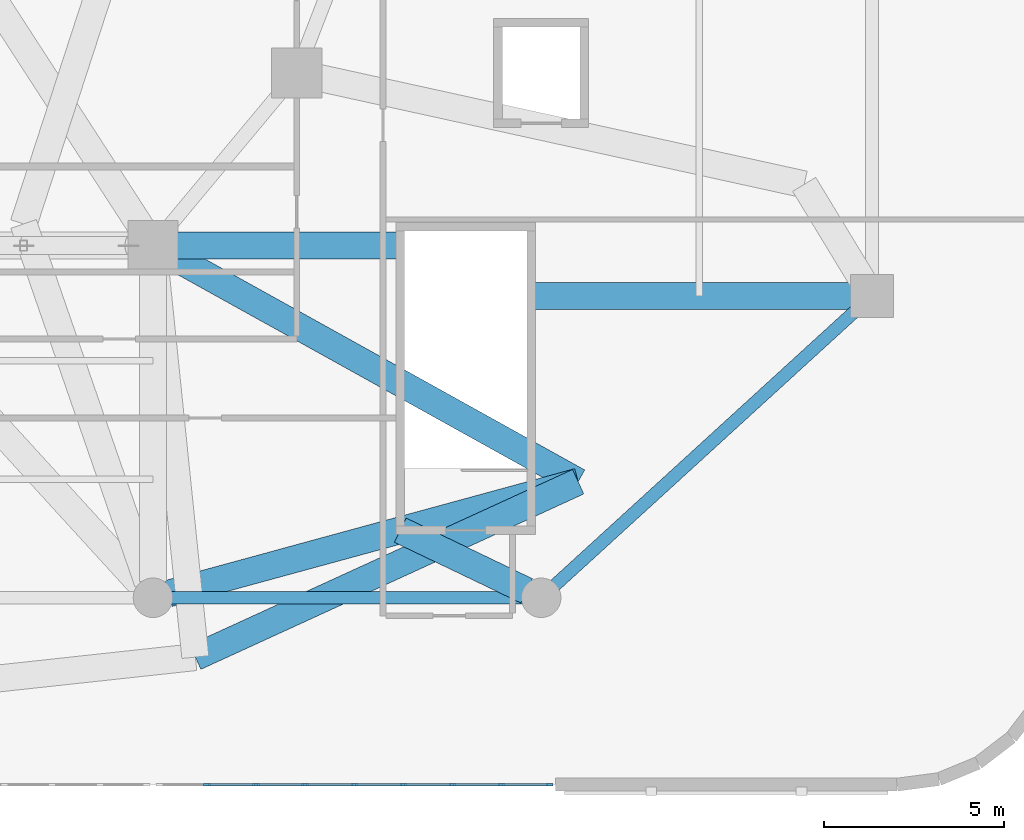
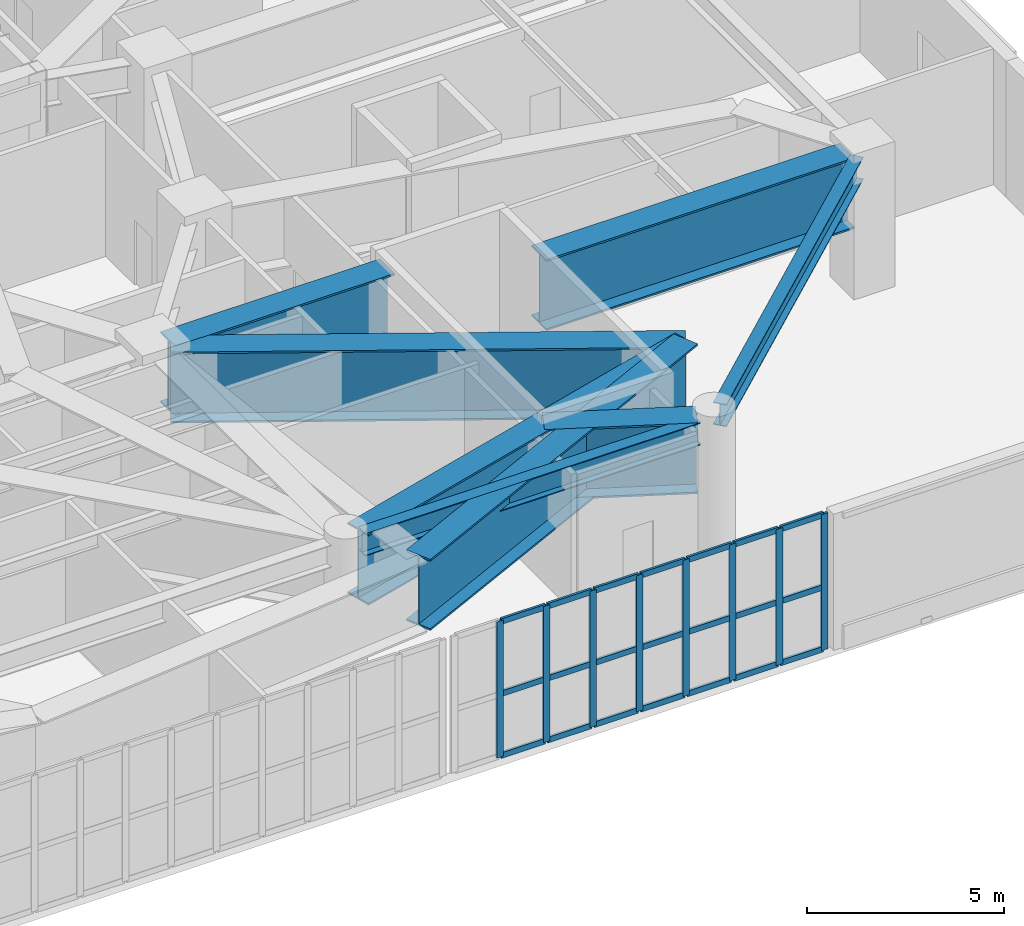
# One storey, part 7 of 26: 29 members, 8 beams, 1 element without a shape of its own.
"""IFC4 building model written with IfcOpenShell, lengths in metres."""

import ifcopenshell
import ifcopenshell.guid

model = None  # the IFC model being written
_history = None  # IfcOwnerHistory: only IFC2X3 demands one
_inside = {}  # id of a spatial element -> (the spatial element, [elements in it])
_under = {}  # id of a project, library or spatial element -> (it, [spatial elements below it])
_declared = {}  # id of a project -> (the project, [libraries it declares])
_typed = {}  # id of a type object -> (the type object, [elements of that type])
_made_of = {}  # id of a material, layer set ... -> (it, [elements and type objects made of it])


def new_model(schema):
    """Start an empty IFC model of exactly this schema.

    Asked for "IFC4X3", IfcOpenShell would pick the latest addendum, in which some entities
    have other attributes; the version numbers below select the first issue.
    IFC2X3 requires an IfcOwnerHistory on every rooted entity: one is made here for all.
    """
    global model, _history
    if schema == "IFC4X3":
        model = ifcopenshell.file(schema_version=(4, 3, 0, 0))
    else:
        model = ifcopenshell.file(schema=schema)
    _inside.clear()
    _under.clear()
    _declared.clear()
    _typed.clear()
    _made_of.clear()
    _history = None
    if model.schema == "IFC2X3":
        org = make("IfcOrganization", Name="unknown")
        user = make(
            "IfcPersonAndOrganization",
            ThePerson=make("IfcPerson", FamilyName="unknown"),
            TheOrganization=org,
        )
        app = make(
            "IfcApplication",
            ApplicationDeveloper=org,
            Version="unknown",
            ApplicationFullName="unknown",
            ApplicationIdentifier="unknown",
        )
        _history = make(
            "IfcOwnerHistory",
            OwningUser=user,
            OwningApplication=app,
            ChangeAction="ADDED",
            CreationDate=0,
        )
    return model


def make(cls, **values):
    """One entity of the class cls with the attributes given. An attribute that is None is left unset."""
    return model.create_entity(
        cls, **{name: value for name, value in values.items() if value is not None}
    )


def rooted(cls, **values):
    """An entity with a GlobalId (a new one), such as an element, a storey or a relation."""
    return make(cls, GlobalId=ifcopenshell.guid.new(), OwnerHistory=_history, **values)


def si_unit(unit_type, name, prefix=None):
    """IfcSIUnit, for example si_unit("LENGTHUNIT", "METRE", prefix="MILLI")."""
    return make("IfcSIUnit", UnitType=unit_type, Prefix=prefix, Name=name)


def assignment(units):
    """IfcUnitAssignment: the units of a project."""
    return None if units is None else make("IfcUnitAssignment", Units=units)


def point(xyz):
    """IfcCartesianPoint."""
    return None if xyz is None else make("IfcCartesianPoint", Coordinates=xyz)


def direction(xyz):
    """IfcDirection."""
    return None if xyz is None else make("IfcDirection", DirectionRatios=xyz)


def frame(location, z_axis=None, x_axis=None):
    """IfcAxis2Placement3D, a coordinate frame: its origin and axes. An axis left out is left unset."""
    return make(
        "IfcAxis2Placement3D",
        Location=point(location),
        Axis=direction(z_axis),
        RefDirection=direction(x_axis),
    )


def frame_2d(location, x_axis=None):
    """IfcAxis2Placement2D, a coordinate frame in the plane: its origin and x axis."""
    return make(
        "IfcAxis2Placement2D", Location=point(location), RefDirection=direction(x_axis)
    )


def origin():
    """The frame at (0, 0, 0) with its axes left unset."""
    return frame((0.0, 0.0, 0.0))


def origin_2d():
    """The frame at (0, 0) in the plane with its x axis left unset."""
    return frame_2d((0.0, 0.0))


def place(relative_to, where):
    """IfcLocalPlacement: puts the frame where relative to a parent placement (None: the world)."""
    return make(
        "IfcLocalPlacement", PlacementRelTo=relative_to, RelativePlacement=where
    )


def context(
    kind, dimensions, precision=None, world=None, true_north=None, identifier=None
):
    """IfcGeometricRepresentationContext, for example the 3D "Model" context."""
    return make(
        "IfcGeometricRepresentationContext",
        ContextIdentifier=identifier,
        ContextType=kind,
        CoordinateSpaceDimension=dimensions,
        Precision=precision,
        WorldCoordinateSystem=world,
        TrueNorth=true_north,
    )


def subcontext(parent, identifier, kind, view, scale=None):
    """IfcGeometricRepresentationSubContext, for example "Body" below "Model"."""
    return make(
        "IfcGeometricRepresentationSubContext",
        ContextIdentifier=identifier,
        ContextType=kind,
        ParentContext=parent,
        TargetScale=scale,
        TargetView=view,
    )


def project(units=None, contexts=None):
    """IfcProject with its units and contexts."""
    return rooted(
        "IfcProject",
        Name="project",
        RepresentationContexts=contexts,
        UnitsInContext=assignment(units),
    )


def spatial(cls, under=None, at=None, **own):
    """A site, building, storey or space (cls), placed at a placement, below another one or the project."""
    s = rooted(cls, ObjectPlacement=at, **own)
    if under is not None:
        _under.setdefault(under.id(), (under, []))[1].append(s)
    return s


def profile(cls, at=None, kind="AREA", **sizes):
    """A parametric profile (cls). Its sizes go by their IFC names, for example OverallWidth=200.0."""
    return make(cls, ProfileType=kind, Position=at, **sizes)


def rectangle(**sizes):
    """IfcRectangleProfileDef."""
    return profile("IfcRectangleProfileDef", **sizes)


def i_section(**sizes):
    """IfcIShapeProfileDef."""
    return profile("IfcIShapeProfileDef", **sizes)


def extrude(swept, where, along, depth):
    """IfcExtrudedAreaSolid: the profile swept, set in the frame where, extruded along a direction by depth."""
    return make(
        "IfcExtrudedAreaSolid",
        SweptArea=swept,
        Position=where,
        ExtrudedDirection=direction(along),
        Depth=depth,
    )


def shape(context_of_items, identifier, shape_type, items):
    """IfcShapeRepresentation: the items that make up one representation, for example the "Body"."""
    return make(
        "IfcShapeRepresentation",
        ContextOfItems=context_of_items,
        RepresentationIdentifier=identifier,
        RepresentationType=shape_type,
        Items=items,
    )


def material(Name=None, Category=None):
    """IfcMaterial."""
    return make("IfcMaterial", Name=Name, Category=Category)


def material_profile(
    of_material, cross_section, Name=None, Category=None, Priority=None
):
    """IfcMaterialProfile: a cross section and its material."""
    return make(
        "IfcMaterialProfile",
        Name=Name,
        Material=of_material,
        Profile=cross_section,
        Priority=Priority,
        Category=Category,
    )


def profile_set(profiles, Name=None, composite=None):
    """IfcMaterialProfileSet."""
    return make(
        "IfcMaterialProfileSet",
        Name=Name,
        MaterialProfiles=profiles,
        CompositeProfile=composite,
    )


def made_of(thing, what):
    """Note that an element or type object is made of a material, layer set ...; save() writes the relation."""
    if what is not None:
        _made_of.setdefault(what.id(), (what, []))[1].append(thing)
    return thing


def type_object(cls, material=None, **own):
    """A type object (cls), such as IfcWallType, which elements share."""
    return made_of(rooted(cls, **own), material)


def element(
    cls,
    number,
    at=None,
    inside=None,
    cuts=None,
    type_object=None,
    material=None,
    context=None,
    identifier="Body",
    shape_type=None,
    held_by="IfcProductDefinitionShape",
    body=None,
    shapes=None,
    **own,
):
    """One element of the class cls, such as IfcWall. Its Tag is "e" and its number.

    at: its placement. inside: the storey or other place that contains it. cuts: it is an
    opening in that element (IfcRelVoidsElement). A single representation is given by context,
    identifier, shape_type and body (its items); several are given by shapes. held_by: the class
    of the entity that holds the representations. save() writes the other relations.
    """
    e = rooted(cls, Tag="e%d" % number, ObjectPlacement=at, **own)
    if body is not None:
        shapes = [shape(context, identifier, shape_type, body)]
    if shapes is not None:
        e.Representation = make(held_by, Representations=shapes)
    if inside is not None:
        _inside.setdefault(inside.id(), (inside, []))[1].append(e)
    if cuts is not None:
        rooted(
            "IfcRelVoidsElement", RelatingBuildingElement=cuts, RelatedOpeningElement=e
        )
    if type_object is not None:
        _typed.setdefault(type_object.id(), (type_object, []))[1].append(e)
    return made_of(e, material)


def aggregate(whole, parts):
    """IfcRelAggregates: a whole, such as a stair, and the parts it consists of."""
    return rooted("IfcRelAggregates", RelatingObject=whole, RelatedObjects=parts)


def save(model, path):
    """Write the relations noted so far, then the file.

    IfcRelAggregates (storeys below a building ...), IfcRelContainedInSpatialStructure (elements
    in a storey), IfcRelDefinesByType, IfcRelAssociatesMaterial and IfcRelDeclares: one each for
    every whole, place, type object, material and project.
    """
    for whole, parts in _under.values():
        aggregate(whole, parts)
    for where, things in _inside.values():
        rooted(
            "IfcRelContainedInSpatialStructure",
            RelatedElements=things,
            RelatingStructure=where,
        )
    for kind, things in _typed.values():
        rooted("IfcRelDefinesByType", RelatedObjects=things, RelatingType=kind)
    for what, things in _made_of.values():
        rooted("IfcRelAssociatesMaterial", RelatedObjects=things, RelatingMaterial=what)
    for by, libraries in _declared.values():
        rooted("IfcRelDeclares", RelatingContext=by, RelatedDefinitions=libraries)
    model.write(path)


model = new_model("IFC4")

# Units and contexts
model_context = context("Model", 3, precision=1e-05, world=origin(), true_north=direction((0.0, 1.0)))
body_context = subcontext(model_context, "Body", "Model", "MODEL_VIEW")
ifc_project = project(units=[si_unit("LENGTHUNIT", "METRE"), si_unit("AREAUNIT", "SQUARE_METRE"), si_unit("VOLUMEUNIT", "CUBIC_METRE"), si_unit("PLANEANGLEUNIT", "RADIAN"), si_unit("MASSUNIT", "GRAM", prefix="KILO")], contexts=[model_context])

# Site, building, storey
site_placement = place(None, origin())
site = spatial("IfcSite", under=ifc_project, at=site_placement, CompositionType="ELEMENT")
building_placement = place(site_placement, origin())
building = spatial("IfcBuilding", under=site, at=building_placement, Name="Haldorwick Loom Tower", CompositionType="ELEMENT")
storey_placement = place(building_placement, frame((0.0, 0.0, 19.5)))
storey = spatial("IfcBuildingStorey", under=building, at=storey_placement, Name="L04", CompositionType="ELEMENT", Elevation=19.5)

# Curtain wall, members
ifc_material_1 = material(Name="Thermally Broken Anodized Aluminium Curtain Wall Framing", Category="aluminium")
curtain_wall_type = type_object("IfcCurtainWallType", Name="ARC-CW-02", PredefinedType="NOTDEFINED", material=ifc_material_1)
curtain_wall_placement = place(storey_placement, origin())
curtain_wall = element("IfcCurtainWall", 1, at=curtain_wall_placement, inside=storey, type_object=curtain_wall_type, Name="L04 Facade Curtain Wall CW-02 Bay 41", PredefinedType="NOTDEFINED")
ifc_material_profile_1 = material_profile(ifc_material_1, rectangle(XDim=0.070068359375, YDim=0.195068359375, at=origin_2d()), Name="ALU_MUL_70X195", Category="aluminium")
ifc_profile_set_1 = profile_set([ifc_material_profile_1], Name="Thermally Broken Anodized Aluminium Curtain Wall Framing")
member_type_1 = type_object("IfcMemberType", Name="ARC-CWM-02", PredefinedType="MULLION", material=ifc_profile_set_1)
member_1_placement = place(storey_placement, frame((48.304931640625, 0.0, 0.0), z_axis=(0.0, 0.0, 1.0), x_axis=(0.0, 1.0, 0.0)))
member_1 = element("IfcMember", 2, at=member_1_placement, type_object=member_type_1, Name="CW-02 mullion 2", PredefinedType="MULLION", context=body_context, shape_type="SweptSolid", body=[
    extrude(rectangle(XDim=0.070068359375, YDim=0.195068359375, at=origin_2d()), origin(), (0.0, 0.0, 1.0), 4.219970703125),
])
member_2_placement = place(storey_placement, frame((49.669921875, 0.0, 0.0), z_axis=(0.0, 0.0, 1.0), x_axis=(0.0, 1.0, 0.0)))
member_2 = element("IfcMember", 3, at=member_2_placement, type_object=member_type_1, Name="CW-02 mullion 3", PredefinedType="MULLION", context=body_context, shape_type="SweptSolid", body=[
    extrude(rectangle(XDim=0.070068359375, YDim=0.195068359375, at=origin_2d()), origin(), (0.0, 0.0, 1.0), 4.219970703125),
])
member_3_placement = place(storey_placement, frame((51.034912109375, 0.0, 0.0), z_axis=(0.0, 0.0, 1.0), x_axis=(0.0, 1.0, 0.0)))
member_3 = element("IfcMember", 4, at=member_3_placement, type_object=member_type_1, Name="CW-02 mullion 4", PredefinedType="MULLION", context=body_context, shape_type="SweptSolid", body=[
    extrude(rectangle(XDim=0.070068359375, YDim=0.195068359375, at=origin_2d()), origin(), (0.0, 0.0, 1.0), 4.219970703125),
])
member_4_placement = place(storey_placement, frame((52.39990234375, 0.0, 0.0), z_axis=(0.0, 0.0, 1.0), x_axis=(0.0, 1.0, 0.0)))
member_4 = element("IfcMember", 5, at=member_4_placement, type_object=member_type_1, Name="CW-02 mullion 5", PredefinedType="MULLION", context=body_context, shape_type="SweptSolid", body=[
    extrude(rectangle(XDim=0.070068359375, YDim=0.195068359375, at=origin_2d()), origin(), (0.0, 0.0, 1.0), 4.219970703125),
])
member_5_placement = place(storey_placement, frame((53.764892578125, 0.0, 0.0), z_axis=(0.0, 0.0, 1.0), x_axis=(0.0, 1.0, 0.0)))
member_5 = element("IfcMember", 6, at=member_5_placement, type_object=member_type_1, Name="CW-02 mullion 6", PredefinedType="MULLION", context=body_context, shape_type="SweptSolid", body=[
    extrude(rectangle(XDim=0.070068359375, YDim=0.195068359375, at=origin_2d()), origin(), (0.0, 0.0, 1.0), 4.219970703125),
])
member_6_placement = place(storey_placement, frame((55.1298828125, 0.0, 0.0), z_axis=(0.0, 0.0, 1.0), x_axis=(0.0, 1.0, 0.0)))
member_6 = element("IfcMember", 7, at=member_6_placement, type_object=member_type_1, Name="CW-02 mullion 7", PredefinedType="MULLION", context=body_context, shape_type="SweptSolid", body=[
    extrude(rectangle(XDim=0.070068359375, YDim=0.195068359375, at=origin_2d()), origin(), (0.0, 0.0, 1.0), 4.219970703125),
])
member_7_placement = place(storey_placement, frame((56.4951171875, 0.0, 0.0), z_axis=(0.0, 0.0, 1.0), x_axis=(0.0, 1.0, 0.0)))
member_7 = element("IfcMember", 8, at=member_7_placement, type_object=member_type_1, Name="CW-02 mullion 8", PredefinedType="MULLION", context=body_context, shape_type="SweptSolid", body=[
    extrude(rectangle(XDim=0.070068359375, YDim=0.195068359375, at=origin_2d()), origin(), (0.0, 0.0, 1.0), 4.219970703125),
])
member_8_placement = place(storey_placement, frame((57.824951171875, 0.0, 0.0), z_axis=(0.0, 0.0, 1.0), x_axis=(0.0, 1.0, 0.0)))
member_8 = element("IfcMember", 9, at=member_8_placement, type_object=member_type_1, Name="CW-02 mullion 9", PredefinedType="MULLION", context=body_context, shape_type="SweptSolid", body=[
    extrude(rectangle(XDim=0.070068359375, YDim=0.195068359375, at=origin_2d()), origin(), (0.0, 0.0, 1.0), 4.219970703125),
])
ifc_material_profile_2 = material_profile(ifc_material_1, rectangle(XDim=0.070068359375, YDim=0.175048828125, at=origin_2d()), Name="ALU_TRN_70X175", Category="aluminium")
ifc_profile_set_2 = profile_set([ifc_material_profile_2], Name="Thermally Broken Anodized Aluminium Curtain Wall Framing")
member_type_2 = type_object("IfcMemberType", Name="ARC-CWT-02", PredefinedType="USERDEFINED", material=ifc_profile_set_2)
member_9_placement = place(storey_placement, frame((48.340087890625, 0.0, 0.034912109375), z_axis=(1.0, 0.0, 0.0), x_axis=(0.0, 1.0, 0.0)))
member_9 = element("IfcMember", 10, at=member_9_placement, type_object=member_type_2, Name="CW-02 transom 2.1", ObjectType="TRANSOM", PredefinedType="USERDEFINED", context=body_context, shape_type="SweptSolid", body=[
    extrude(rectangle(XDim=0.070068359375, YDim=0.175048828125, at=origin_2d()), origin(), (0.0, 0.0, 1.0), 1.294921875),
])
member_10_placement = place(storey_placement, frame((48.340087890625, 0.0, 1.949951171875), z_axis=(1.0, 0.0, 0.0), x_axis=(0.0, 1.0, 0.0)))
member_10 = element("IfcMember", 11, at=member_10_placement, type_object=member_type_2, Name="CW-02 transom 2.2", ObjectType="TRANSOM", PredefinedType="USERDEFINED", context=body_context, shape_type="SweptSolid", body=[
    extrude(rectangle(XDim=0.070068359375, YDim=0.175048828125, at=origin_2d()), origin(), (0.0, 0.0, 1.0), 1.294921875),
])
member_11_placement = place(storey_placement, frame((48.340087890625, 0.0, 4.18505859375), z_axis=(1.0, 0.0, 0.0), x_axis=(0.0, 1.0, 0.0)))
member_11 = element("IfcMember", 12, at=member_11_placement, type_object=member_type_2, Name="CW-02 transom 2.3", ObjectType="TRANSOM", PredefinedType="USERDEFINED", context=body_context, shape_type="SweptSolid", body=[
    extrude(rectangle(XDim=0.070068359375, YDim=0.175048828125, at=origin_2d()), origin(), (0.0, 0.0, 1.0), 1.294921875),
])
member_12_placement = place(storey_placement, frame((49.705078125, 0.0, 0.034912109375), z_axis=(1.0, 0.0, 0.0), x_axis=(0.0, 1.0, 0.0)))
member_12 = element("IfcMember", 13, at=member_12_placement, type_object=member_type_2, Name="CW-02 transom 3.1", ObjectType="TRANSOM", PredefinedType="USERDEFINED", context=body_context, shape_type="SweptSolid", body=[
    extrude(rectangle(XDim=0.070068359375, YDim=0.175048828125, at=origin_2d()), origin(), (0.0, 0.0, 1.0), 1.294921875),
])
member_13_placement = place(storey_placement, frame((49.705078125, 0.0, 1.949951171875), z_axis=(1.0, 0.0, 0.0), x_axis=(0.0, 1.0, 0.0)))
member_13 = element("IfcMember", 14, at=member_13_placement, type_object=member_type_2, Name="CW-02 transom 3.2", ObjectType="TRANSOM", PredefinedType="USERDEFINED", context=body_context, shape_type="SweptSolid", body=[
    extrude(rectangle(XDim=0.070068359375, YDim=0.175048828125, at=origin_2d()), origin(), (0.0, 0.0, 1.0), 1.294921875),
])
member_14_placement = place(storey_placement, frame((49.705078125, 0.0, 4.18505859375), z_axis=(1.0, 0.0, 0.0), x_axis=(0.0, 1.0, 0.0)))
member_14 = element("IfcMember", 15, at=member_14_placement, type_object=member_type_2, Name="CW-02 transom 3.3", ObjectType="TRANSOM", PredefinedType="USERDEFINED", context=body_context, shape_type="SweptSolid", body=[
    extrude(rectangle(XDim=0.070068359375, YDim=0.175048828125, at=origin_2d()), origin(), (0.0, 0.0, 1.0), 1.294921875),
])
member_15_placement = place(storey_placement, frame((51.070068359375, 0.0, 0.034912109375), z_axis=(1.0, 0.0, 0.0), x_axis=(0.0, 1.0, 0.0)))
member_15 = element("IfcMember", 16, at=member_15_placement, type_object=member_type_2, Name="CW-02 transom 4.1", ObjectType="TRANSOM", PredefinedType="USERDEFINED", context=body_context, shape_type="SweptSolid", body=[
    extrude(rectangle(XDim=0.070068359375, YDim=0.175048828125, at=origin_2d()), origin(), (0.0, 0.0, 1.0), 1.294921875),
])
member_16_placement = place(storey_placement, frame((51.070068359375, 0.0, 1.949951171875), z_axis=(1.0, 0.0, 0.0), x_axis=(0.0, 1.0, 0.0)))
member_16 = element("IfcMember", 17, at=member_16_placement, type_object=member_type_2, Name="CW-02 transom 4.2", ObjectType="TRANSOM", PredefinedType="USERDEFINED", context=body_context, shape_type="SweptSolid", body=[
    extrude(rectangle(XDim=0.070068359375, YDim=0.175048828125, at=origin_2d()), origin(), (0.0, 0.0, 1.0), 1.294921875),
])
member_17_placement = place(storey_placement, frame((51.070068359375, 0.0, 4.18505859375), z_axis=(1.0, 0.0, 0.0), x_axis=(0.0, 1.0, 0.0)))
member_17 = element("IfcMember", 18, at=member_17_placement, type_object=member_type_2, Name="CW-02 transom 4.3", ObjectType="TRANSOM", PredefinedType="USERDEFINED", context=body_context, shape_type="SweptSolid", body=[
    extrude(rectangle(XDim=0.070068359375, YDim=0.175048828125, at=origin_2d()), origin(), (0.0, 0.0, 1.0), 1.294921875),
])
member_18_placement = place(storey_placement, frame((52.43505859375, 0.0, 0.034912109375), z_axis=(1.0, 0.0, 0.0), x_axis=(0.0, 1.0, 0.0)))
member_18 = element("IfcMember", 19, at=member_18_placement, type_object=member_type_2, Name="CW-02 transom 5.1", ObjectType="TRANSOM", PredefinedType="USERDEFINED", context=body_context, shape_type="SweptSolid", body=[
    extrude(rectangle(XDim=0.070068359375, YDim=0.175048828125, at=origin_2d()), origin(), (0.0, 0.0, 1.0), 1.294921875),
])
member_19_placement = place(storey_placement, frame((52.43505859375, 0.0, 1.949951171875), z_axis=(1.0, 0.0, 0.0), x_axis=(0.0, 1.0, 0.0)))
member_19 = element("IfcMember", 20, at=member_19_placement, type_object=member_type_2, Name="CW-02 transom 5.2", ObjectType="TRANSOM", PredefinedType="USERDEFINED", context=body_context, shape_type="SweptSolid", body=[
    extrude(rectangle(XDim=0.070068359375, YDim=0.175048828125, at=origin_2d()), origin(), (0.0, 0.0, 1.0), 1.294921875),
])
member_20_placement = place(storey_placement, frame((52.43505859375, 0.0, 4.18505859375), z_axis=(1.0, 0.0, 0.0), x_axis=(0.0, 1.0, 0.0)))
member_20 = element("IfcMember", 21, at=member_20_placement, type_object=member_type_2, Name="CW-02 transom 5.3", ObjectType="TRANSOM", PredefinedType="USERDEFINED", context=body_context, shape_type="SweptSolid", body=[
    extrude(rectangle(XDim=0.070068359375, YDim=0.175048828125, at=origin_2d()), origin(), (0.0, 0.0, 1.0), 1.294921875),
])
member_21_placement = place(storey_placement, frame((53.800048828125, 0.0, 0.034912109375), z_axis=(1.0, 0.0, 0.0), x_axis=(0.0, 1.0, 0.0)))
member_21 = element("IfcMember", 22, at=member_21_placement, type_object=member_type_2, Name="CW-02 transom 6.1", ObjectType="TRANSOM", PredefinedType="USERDEFINED", context=body_context, shape_type="SweptSolid", body=[
    extrude(rectangle(XDim=0.070068359375, YDim=0.175048828125, at=origin_2d()), origin(), (0.0, 0.0, 1.0), 1.294921875),
])
member_22_placement = place(storey_placement, frame((53.800048828125, 0.0, 1.949951171875), z_axis=(1.0, 0.0, 0.0), x_axis=(0.0, 1.0, 0.0)))
member_22 = element("IfcMember", 23, at=member_22_placement, type_object=member_type_2, Name="CW-02 transom 6.2", ObjectType="TRANSOM", PredefinedType="USERDEFINED", context=body_context, shape_type="SweptSolid", body=[
    extrude(rectangle(XDim=0.070068359375, YDim=0.175048828125, at=origin_2d()), origin(), (0.0, 0.0, 1.0), 1.294921875),
])
member_23_placement = place(storey_placement, frame((53.800048828125, 0.0, 4.18505859375), z_axis=(1.0, 0.0, 0.0), x_axis=(0.0, 1.0, 0.0)))
member_23 = element("IfcMember", 24, at=member_23_placement, type_object=member_type_2, Name="CW-02 transom 6.3", ObjectType="TRANSOM", PredefinedType="USERDEFINED", context=body_context, shape_type="SweptSolid", body=[
    extrude(rectangle(XDim=0.070068359375, YDim=0.175048828125, at=origin_2d()), origin(), (0.0, 0.0, 1.0), 1.294921875),
])
member_24_placement = place(storey_placement, frame((55.1650390625, 0.0, 0.034912109375), z_axis=(1.0, 0.0, 0.0), x_axis=(0.0, 1.0, 0.0)))
member_24 = element("IfcMember", 25, at=member_24_placement, type_object=member_type_2, Name="CW-02 transom 7.1", ObjectType="TRANSOM", PredefinedType="USERDEFINED", context=body_context, shape_type="SweptSolid", body=[
    extrude(rectangle(XDim=0.070068359375, YDim=0.175048828125, at=origin_2d()), origin(), (0.0, 0.0, 1.0), 1.294921875),
])
member_25_placement = place(storey_placement, frame((55.1650390625, 0.0, 1.949951171875), z_axis=(1.0, 0.0, 0.0), x_axis=(0.0, 1.0, 0.0)))
member_25 = element("IfcMember", 26, at=member_25_placement, type_object=member_type_2, Name="CW-02 transom 7.2", ObjectType="TRANSOM", PredefinedType="USERDEFINED", context=body_context, shape_type="SweptSolid", body=[
    extrude(rectangle(XDim=0.070068359375, YDim=0.175048828125, at=origin_2d()), origin(), (0.0, 0.0, 1.0), 1.294921875),
])
member_26_placement = place(storey_placement, frame((55.1650390625, 0.0, 4.18505859375), z_axis=(1.0, 0.0, 0.0), x_axis=(0.0, 1.0, 0.0)))
member_26 = element("IfcMember", 27, at=member_26_placement, type_object=member_type_2, Name="CW-02 transom 7.3", ObjectType="TRANSOM", PredefinedType="USERDEFINED", context=body_context, shape_type="SweptSolid", body=[
    extrude(rectangle(XDim=0.070068359375, YDim=0.175048828125, at=origin_2d()), origin(), (0.0, 0.0, 1.0), 1.294921875),
])
member_27_placement = place(storey_placement, frame((56.530029296875, 0.0, 0.034912109375), z_axis=(1.0, 0.0, 0.0), x_axis=(0.0, 1.0, 0.0)))
member_27 = element("IfcMember", 28, at=member_27_placement, type_object=member_type_2, Name="CW-02 transom 8.1", ObjectType="TRANSOM", PredefinedType="USERDEFINED", context=body_context, shape_type="SweptSolid", body=[
    extrude(rectangle(XDim=0.070068359375, YDim=0.175048828125, at=origin_2d()), origin(), (0.0, 0.0, 1.0), 1.260009765625),
])
member_28_placement = place(storey_placement, frame((56.530029296875, 0.0, 1.949951171875), z_axis=(1.0, 0.0, 0.0), x_axis=(0.0, 1.0, 0.0)))
member_28 = element("IfcMember", 29, at=member_28_placement, type_object=member_type_2, Name="CW-02 transom 8.2", ObjectType="TRANSOM", PredefinedType="USERDEFINED", context=body_context, shape_type="SweptSolid", body=[
    extrude(rectangle(XDim=0.070068359375, YDim=0.175048828125, at=origin_2d()), origin(), (0.0, 0.0, 1.0), 1.260009765625),
])
member_29_placement = place(storey_placement, frame((56.530029296875, 0.0, 4.18505859375), z_axis=(1.0, 0.0, 0.0), x_axis=(0.0, 1.0, 0.0)))
member_29 = element("IfcMember", 30, at=member_29_placement, type_object=member_type_2, Name="CW-02 transom 8.3", ObjectType="TRANSOM", PredefinedType="USERDEFINED", context=body_context, shape_type="SweptSolid", body=[
    extrude(rectangle(XDim=0.070068359375, YDim=0.175048828125, at=origin_2d()), origin(), (0.0, 0.0, 1.0), 1.260009765625),
])
aggregate(curtain_wall, [member_1, member_2, member_3, member_4, member_5, member_6, member_7, member_8, member_9, member_10, member_11, member_12, member_13, member_14, member_15, member_16, member_17, member_18, member_19, member_20, member_21, member_22, member_23, member_24, member_25, member_26, member_27, member_28, member_29])

# Beams
ifc_material_2 = material(Name="Steel CSA G40.21 350W", Category="steel")
ifc_material_profile_3 = material_profile(ifc_material_2, i_section(OverallWidth=0.35498046875, OverallDepth=0.695068359375, WebThickness=0.015380859375, FlangeThickness=0.02490234375, at=origin_2d()), Name="W690X217", Category="steel")
ifc_profile_set_3 = profile_set([ifc_material_profile_3], Name="Steel CSA G40.21 350W")
beam_type_1 = type_object("IfcBeamType", Name="STR-BM-SP690", PredefinedType="SPANDREL", material=ifc_profile_set_3)
beam_1_placement = place(storey_placement, frame((47.280029296875, 5.199951171875, 3.87255859375), z_axis=(1.0, 0.0, 0.0), x_axis=(0.0, 1.0, 0.0)))
element("IfcBeam", 31, at=beam_1_placement, inside=storey, type_object=beam_type_1, Name="L04 Podium Spandrel PSP-S4", PredefinedType="SPANDREL", context=body_context, shape_type="SweptSolid", body=[
    extrude(i_section(OverallWidth=0.35498046875, OverallDepth=0.695068359375, WebThickness=0.015380859375, FlangeThickness=0.02490234375, at=origin_2d()), origin(), (0.0, 0.0, 1.0), 9.840087890625),
])
beam_2_placement = place(storey_placement, frame((57.95458984375, 5.523681640625, 3.87255859375), z_axis=(0.738482735745, 0.674272384876, 0.0), x_axis=(-0.674272384876, 0.738482735745, 0.0)))
element("IfcBeam", 32, at=beam_2_placement, inside=storey, type_object=beam_type_1, Name="L04 Podium Spandrel PSP-S5", PredefinedType="SPANDREL", context=body_context, shape_type="SweptSolid", body=[
    extrude(i_section(OverallWidth=0.35498046875, OverallDepth=0.695068359375, WebThickness=0.015380859375, FlangeThickness=0.02490234375, at=origin_2d()), origin(), (0.0, 0.0, 1.0), 11.497802734375),
])
ifc_material_3 = material(Name="Steel CSA G40.21 350WT", Category="steel")
ifc_material_profile_4 = material_profile(ifc_material_3, i_section(OverallWidth=0.75, OverallDepth=2.199951171875, WebThickness=0.030029296875, FlangeThickness=0.054931640625, at=origin_2d()), Name="WWF2200X750", Category="steel")
ifc_profile_set_4 = profile_set([ifc_material_profile_4], Name="Steel CSA G40.21 350WT")
beam_type_2 = type_object("IfcBeamType", Name="STR-BM-TG2200", PredefinedType="BEAM", material=ifc_profile_set_4)
beam_3_placement = place(storey_placement, frame((66.35009765625, 13.60009765625, 3.1201171875), z_axis=(-1.0, 0.0, 0.0), x_axis=(0.0, -1.0, 0.0)))
element("IfcBeam", 33, at=beam_3_placement, inside=storey, type_object=beam_type_2, Name="L04 Podium Primary Girder PG-07A", PredefinedType="BEAM", context=body_context, shape_type="SweptSolid", body=[
    extrude(i_section(OverallWidth=0.75, OverallDepth=2.199951171875, WebThickness=0.030029296875, FlangeThickness=0.054931640625, at=origin_2d()), origin(), (0.0, 0.0, 1.0), 9.030029296875),
])
beam_4_placement = place(storey_placement, frame((53.679931640625, 15.0, 3.1201171875), z_axis=(-1.0, 0.0, 0.0), x_axis=(0.0, -1.0, 0.0)))
element("IfcBeam", 34, at=beam_4_placement, inside=storey, type_object=beam_type_2, Name="L04 Podium Primary Girder PG-07B", PredefinedType="BEAM", context=body_context, shape_type="SweptSolid", body=[
    extrude(i_section(OverallWidth=0.75, OverallDepth=2.199951171875, WebThickness=0.030029296875, FlangeThickness=0.054931640625, at=origin_2d()), origin(), (0.0, 0.0, 1.0), 6.429931640625),
])
beam_5_placement = place(storey_placement, frame((57.1943359375, 5.39453125, 3.1201171875), z_axis=(-0.901659852689, 0.432445961998, 0.0), x_axis=(-0.432445961998, -0.901659852689, 0.0)))
element("IfcBeam", 35, at=beam_5_placement, inside=storey, type_object=beam_type_2, Name="L04 Podium Primary Girder PG-17", PredefinedType="BEAM", context=body_context, shape_type="SweptSolid", body=[
    extrude(i_section(OverallWidth=0.75, OverallDepth=2.199951171875, WebThickness=0.030029296875, FlangeThickness=0.054931640625, at=origin_2d()), origin(), (0.0, 0.0, 1.0), 3.897705078125),
])
beam_6_placement = place(storey_placement, frame((47.193359375, 14.781494140625, 3.1201171875), z_axis=(0.874181041619, -0.485600150817, 0.0), x_axis=(0.485600150817, 0.874181041619, 0.0)))
element("IfcBeam", 36, at=beam_6_placement, inside=storey, type_object=beam_type_2, Name="L04 Radial Transfer Girder 15 Inner", PredefinedType="BEAM", context=body_context, shape_type="SweptSolid", body=[
    extrude(i_section(OverallWidth=0.75, OverallDepth=2.199951171875, WebThickness=0.030029296875, FlangeThickness=0.054931640625, at=origin_2d()), origin(), (0.0, 0.0, 1.0), 13.082763671875),
])
beam_7_placement = place(storey_placement, frame((58.630126953125, 8.428466796875, 3.1201171875), z_axis=(-0.964723746643, -0.263264301914, 0.0), x_axis=(0.263264301914, -0.964723746643, 0.0)))
element("IfcBeam", 37, at=beam_7_placement, inside=storey, type_object=beam_type_2, Name="L04 Radial Transfer Girder 15 Outer", PredefinedType="BEAM", context=body_context, shape_type="SweptSolid", body=[
    extrude(i_section(OverallWidth=0.75, OverallDepth=2.199951171875, WebThickness=0.030029296875, FlangeThickness=0.054931640625, at=origin_2d()), origin(), (0.0, 0.0, 1.0), 11.812744140625),
])
beam_8_placement = place(storey_placement, frame((47.97802734375, 3.5498046875, 3.1201171875), z_axis=(0.90917956143, 0.416404280811, 0.0), x_axis=(-0.416404280811, 0.90917956143, 0.0)))
element("IfcBeam", 38, at=beam_8_placement, inside=storey, type_object=beam_type_2, Name="L04 South Tower Perimeter Ring Transfer Girder 4", PredefinedType="BEAM", context=body_context, shape_type="SweptSolid", body=[
    extrude(i_section(OverallWidth=0.75, OverallDepth=2.199951171875, WebThickness=0.030029296875, FlangeThickness=0.054931640625, at=origin_2d()), origin(), (0.0, 0.0, 1.0), 11.716064453125),
])

save(model, "model.ifc")
